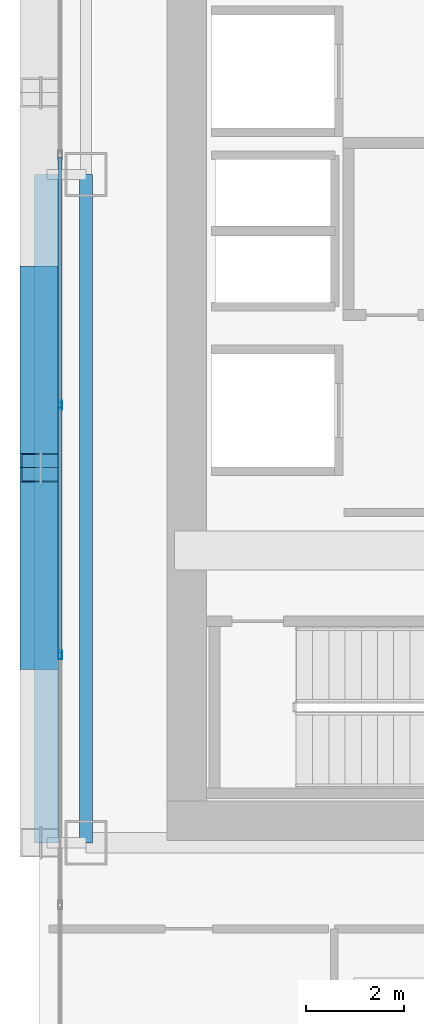
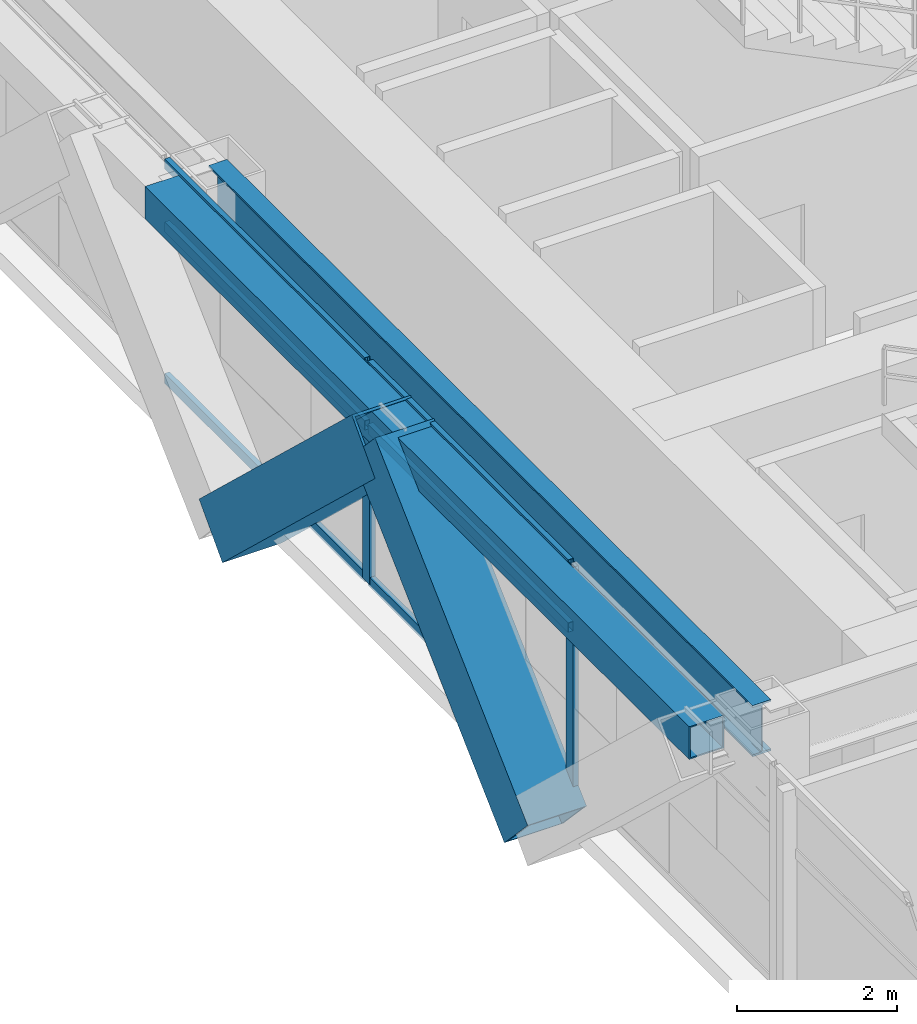
# One storey, part 6 of 38: 10 members, 2 beams, 1 element without a shape of its own.
"""IFC4 building model written with IfcOpenShell, lengths in metres."""

from ifc_helpers import new_model, si_unit, direction, frame, origin, origin_2d, place, context, subcontext, project, spatial, hollow_rectangle, i_section, extrude, source, transform, mapped, material, layer, layer_set, material_profile, profile_set, type_object, element, aggregate, save


model = new_model("IFC4")

# Units and contexts
model_context = context("Model", 3, precision=1e-05, world=origin(), true_north=direction((0.0, 1.0)))
body_context = subcontext(model_context, "Body", "Model", "MODEL_VIEW")
ifc_project = project(units=[si_unit("LENGTHUNIT", "METRE"), si_unit("AREAUNIT", "SQUARE_METRE"), si_unit("VOLUMEUNIT", "CUBIC_METRE"), si_unit("PLANEANGLEUNIT", "RADIAN"), si_unit("MASSUNIT", "GRAM", prefix="KILO")], contexts=[model_context])

# Site, building, storey
site_placement = place(None, origin())
site = spatial("IfcSite", under=ifc_project, at=site_placement, CompositionType="ELEMENT")
building_placement = place(site_placement, origin())
building = spatial("IfcBuilding", under=site, at=building_placement, Name="Ocotamira Hotel", CompositionType="ELEMENT")
storey_placement = place(building_placement, frame((0.0, 0.0, 74.39990234375)))
storey = spatial("IfcBuildingStorey", under=building, at=storey_placement, Name="L18", CompositionType="ELEMENT", Elevation=74.39990234375)

# Beams
ifc_material_1 = material(Name="Steel ASTM A992 Grade 50", Category="steel")
ifc_material_profile_1 = material_profile(ifc_material_1, i_section(OverallWidth=0.26611328125, OverallDepth=0.779052734375, WebThickness=0.0166015625, FlangeThickness=0.030029296875, FilletRadius=0.01806640625, at=origin_2d()), Name="W30X148")
ifc_profile_set_1 = profile_set([ifc_material_profile_1], Name="Steel ASTM A992 Grade 50")
beam_type_1 = type_object("IfcBeamType", Name="BM-GIRD-W30X148", PredefinedType="BEAM", material=ifc_profile_set_1)
shared_shape_1 = source(origin(), body_context, "Body", "SweptSolid", [
    extrude(i_section(OverallWidth=0.26611328125, OverallDepth=0.779052734375, WebThickness=0.0166015625, FlangeThickness=0.030029296875, FilletRadius=0.01806640625, at=origin_2d()), origin(), (0.0, 0.0, 1.0), 13.599853515625),
])
beam_1_placement = place(storey_placement, frame((8.949951171875, 14.550048828125, 2.960693359375), z_axis=(0.0, 1.0, 0.0), x_axis=(-1.0, 0.0, 0.0)))
element("IfcBeam", 1, at=beam_1_placement, inside=storey, type_object=beam_type_1, Name="L18 Beam X8.95 Y14.55-28.15", PredefinedType="BEAM", context=body_context, shape_type="MappedRepresentation", body=[
    mapped(shared_shape_1, transform((0.0, 0.0, 0.0), scale=1.0)),
])
ifc_material_2 = material(Name="Steel ASTM A500 Grade C", Category="steel")
ifc_material_profile_2 = material_profile(ifc_material_2, hollow_rectangle(XDim=0.5, YDim=0.5, WallThickness=0.02001953125, at=origin_2d()), Name="HSS500X500X20")
ifc_profile_set_2 = profile_set([ifc_material_profile_2], Name="Steel ASTM A500 Grade C")
beam_type_2 = type_object("IfcBeamType", Name="BM-SPAN-HSS500", PredefinedType="USERDEFINED", material=ifc_profile_set_2)
shared_shape_2 = source(origin(), body_context, "Body", "SweptSolid", [
    extrude(hollow_rectangle(XDim=0.5, YDim=0.5, WallThickness=0.02001953125, at=origin_2d()), origin(), (0.0, 0.0, 1.0), 13.599853515625),
])
beam_2_placement = place(storey_placement, frame((8.14990234375, 14.550048828125, 3.10009765625), z_axis=(0.0, 1.0, 0.0), x_axis=(-1.0, 0.0, 0.0)))
element("IfcBeam", 2, at=beam_2_placement, inside=storey, type_object=beam_type_2, Name="L18 Edge Spandrel W Y14.55-28.15", ObjectType="SPANDREL", PredefinedType="USERDEFINED", context=body_context, shape_type="MappedRepresentation", body=[
    mapped(shared_shape_2, transform((0.0, 0.0, 0.0), scale=1.0)),
])

# Members
ifc_material_3 = material(Name="Pale-metal coated steel ASTM A913 Grade 65", Category="steel")
ifc_material_profile_3 = material_profile(ifc_material_3, hollow_rectangle(XDim=0.85009765625, YDim=0.85009765625, WallThickness=0.035888671875, at=origin_2d()), Name="BOX850X850X36")
ifc_profile_set_3 = profile_set([ifc_material_profile_3], Name="Pale-metal coated steel ASTM A913 Grade 65")
member_type_1 = type_object("IfcMemberType", Name="MEM-EXO-BOX850", PredefinedType="BRACE", material=ifc_profile_set_3)
shared_shape_3 = source(origin(), body_context, "Body", "SweptSolid", [
    extrude(hollow_rectangle(XDim=0.85009765625, YDim=0.85009765625, WallThickness=0.035888671875, at=origin_2d()), origin(), (0.0, 0.0, 1.0), 5.24658203125),
])
for number, where, z_axis, x_axis, name in (
    (3, (8.030029296875, 18.36669921875, -0.5), (0.0, 0.727442733726, 0.686168397078), (-1.0, 0.0, 0.0), "L18 Exoskeleton Diagrid W0.2"),
    (4, (8.030029296875, 26.0, -0.5), (0.0, -0.727442733726, 0.686168397078), (1.0, 0.0, 0.0), "L18 Exoskeleton Diagrid W1.1"),
):
    element("IfcMember", number, at=place(storey_placement, frame(where, z_axis=z_axis, x_axis=x_axis)), inside=storey, type_object=member_type_1, Name=name, PredefinedType="BRACE", context=body_context, shape_type="MappedRepresentation", body=[
        mapped(shared_shape_3, transform((0.0, 0.0, 0.0), scale=1.0)),
    ])

# Curtain wall, members
ifc_material_4 = material(Name="Anodised pale-metal aluminium and solar glass", Category="aluminium")
ifc_layer = layer(ifc_material_4, 0.179931640625)
ifc_layer_set = layer_set([ifc_layer], Name="Anodised pale-metal aluminium and solar glass")
curtain_wall_type = type_object("IfcCurtainWallType", Name="CW-SYS2-Z1", PredefinedType="NOTDEFINED", material=ifc_layer_set)
curtain_wall_placement = place(storey_placement, origin())
curtain_wall = element("IfcCurtainWall", 5, at=curtain_wall_placement, inside=storey, type_object=curtain_wall_type, Name="L18 Curtain Wall CW-2 CW-L18-W", PredefinedType="NOTDEFINED")
ifc_material_5 = material(Name="Anodised pale-metal aluminium 6063-T6", Category="aluminium")
ifc_material_profile_4 = material_profile(ifc_material_5, hollow_rectangle(XDim=0.074951171875, YDim=0.14990234375, WallThickness=0.006103515625, at=origin_2d()), Name="HSS150X75X6")
ifc_profile_set_4 = profile_set([ifc_material_profile_4], Name="Anodised pale-metal aluminium 6063-T6")
member_type_2 = type_object("IfcMemberType", Name="CWT-150X75", PredefinedType="USERDEFINED", material=ifc_profile_set_4)
shared_shape_4 = source(origin(), body_context, "Body", "SweptSolid", [
    extrude(hollow_rectangle(XDim=0.074951171875, YDim=0.14990234375, WallThickness=0.006103515625, at=origin_2d()), origin(), (0.0, 0.0, 1.0), 5.005859375),
])
member_1_placement = place(storey_placement, frame((8.419921875, 18.411376953125, 0.03759765625), z_axis=(0.0, 1.0, 0.0), x_axis=(-1.0, 0.0, 0.0)))
member_1 = element("IfcMember", 6, at=member_1_placement, type_object=member_type_2, Name="CW-2 transom 3.1", ObjectType="TRANSOM", PredefinedType="USERDEFINED", context=body_context, shape_type="MappedRepresentation", body=[
    mapped(shared_shape_4, transform((0.0, 0.0, 0.0), scale=1.0)),
])
member_2_placement = place(storey_placement, frame((8.419921875, 18.411376953125, 2.35009765625), z_axis=(0.0, 1.0, 0.0), x_axis=(-1.0, 0.0, 0.0)))
member_2 = element("IfcMember", 7, at=member_2_placement, type_object=member_type_2, Name="CW-2 transom 3.2", ObjectType="TRANSOM", PredefinedType="USERDEFINED", context=body_context, shape_type="MappedRepresentation", body=[
    mapped(shared_shape_4, transform((0.0, 0.0, 0.0), scale=1.0)),
])
member_3_placement = place(storey_placement, frame((8.419921875, 18.411376953125, 3.3125), z_axis=(0.0, 1.0, 0.0), x_axis=(-1.0, 0.0, 0.0)))
member_3 = element("IfcMember", 8, at=member_3_placement, type_object=member_type_2, Name="CW-2 transom 3.3", ObjectType="TRANSOM", PredefinedType="USERDEFINED", context=body_context, shape_type="MappedRepresentation", body=[
    mapped(shared_shape_4, transform((0.0, 0.0, 0.0), scale=1.0)),
])
member_4_placement = place(storey_placement, frame((8.419921875, 23.4970703125, 0.03759765625), z_axis=(0.0, 1.0, 0.0), x_axis=(-1.0, 0.0, 0.0)))
member_4 = element("IfcMember", 9, at=member_4_placement, type_object=member_type_2, Name="CW-2 transom 4.1", ObjectType="TRANSOM", PredefinedType="USERDEFINED", context=body_context, shape_type="MappedRepresentation", body=[
    mapped(shared_shape_4, transform((0.0, 0.0, 0.0), scale=1.0)),
])
member_5_placement = place(storey_placement, frame((8.419921875, 23.4970703125, 2.35009765625), z_axis=(0.0, 1.0, 0.0), x_axis=(-1.0, 0.0, 0.0)))
member_5 = element("IfcMember", 10, at=member_5_placement, type_object=member_type_2, Name="CW-2 transom 4.2", ObjectType="TRANSOM", PredefinedType="USERDEFINED", context=body_context, shape_type="MappedRepresentation", body=[
    mapped(shared_shape_4, transform((0.0, 0.0, 0.0), scale=1.0)),
])
member_6_placement = place(storey_placement, frame((8.419921875, 23.4970703125, 3.3125), z_axis=(0.0, 1.0, 0.0), x_axis=(-1.0, 0.0, 0.0)))
member_6 = element("IfcMember", 11, at=member_6_placement, type_object=member_type_2, Name="CW-2 transom 4.3", ObjectType="TRANSOM", PredefinedType="USERDEFINED", context=body_context, shape_type="MappedRepresentation", body=[
    mapped(shared_shape_4, transform((0.0, 0.0, 0.0), scale=1.0)),
])
ifc_material_profile_5 = material_profile(ifc_material_5, hollow_rectangle(XDim=0.080078125, YDim=0.179931640625, WallThickness=0.006103515625, at=origin_2d()), Name="HSS180X80X6")
ifc_profile_set_5 = profile_set([ifc_material_profile_5], Name="Anodised pale-metal aluminium 6063-T6")
member_type_3 = type_object("IfcMemberType", Name="CWM-180X75", PredefinedType="MULLION", material=ifc_profile_set_5)
shared_shape_5 = source(origin(), body_context, "Body", "SweptSolid", [
    extrude(hollow_rectangle(XDim=0.080078125, YDim=0.179931640625, WallThickness=0.006103515625, at=origin_2d()), origin(), (0.0, 0.0, 1.0), 3.35009765625),
])
member_7_placement = place(storey_placement, frame((8.419921875, 18.371337890625, 0.0), z_axis=(0.0, 0.0, 1.0), x_axis=(-1.0, 0.0, 0.0)))
member_7 = element("IfcMember", 12, at=member_7_placement, type_object=member_type_3, Name="CW-2 mullion 3", PredefinedType="MULLION", context=body_context, shape_type="MappedRepresentation", body=[
    mapped(shared_shape_5, transform((0.0, 0.0, 0.0), scale=1.0)),
])
member_8_placement = place(storey_placement, frame((8.419921875, 23.45703125, 0.0), z_axis=(0.0, 0.0, 1.0), x_axis=(-1.0, 0.0, 0.0)))
member_8 = element("IfcMember", 13, at=member_8_placement, type_object=member_type_3, Name="CW-2 mullion 4", PredefinedType="MULLION", context=body_context, shape_type="MappedRepresentation", body=[
    mapped(shared_shape_5, transform((0.0, 0.0, 0.0), scale=1.0)),
])
aggregate(curtain_wall, [member_7, member_8, member_1, member_2, member_3, member_4, member_5, member_6])

save(model, "model.ifc")
